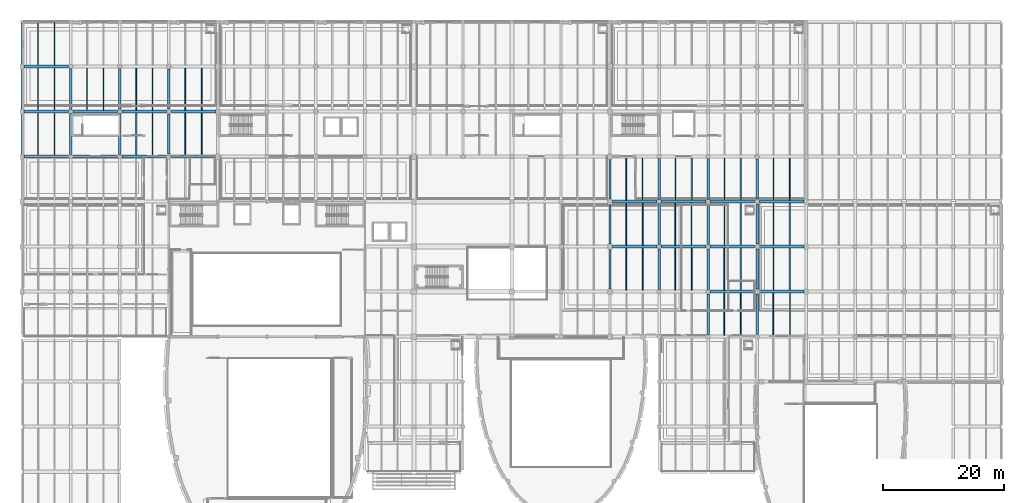
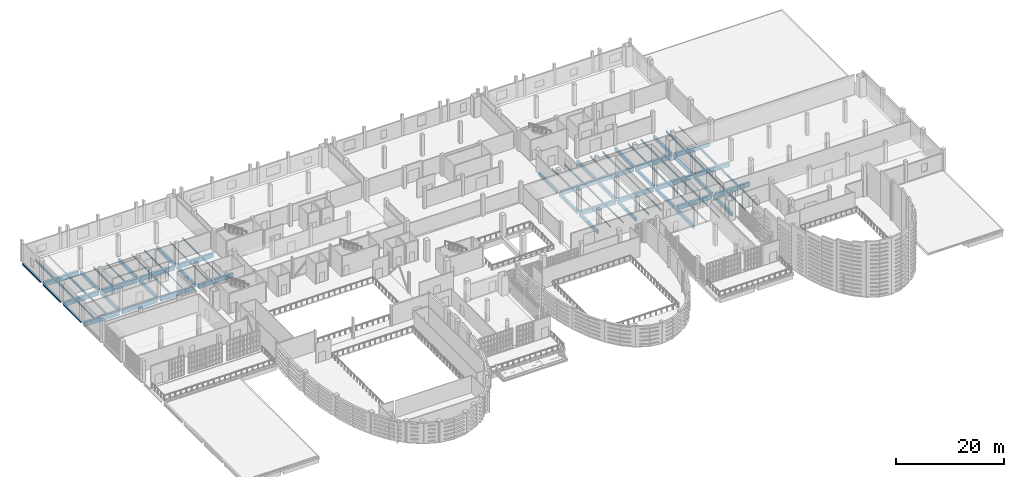
# One storey, part 45 of 104: 86 beams.
"""IFC4 building model written with IfcOpenShell, lengths in metres."""

import ifcopenshell
import ifcopenshell.guid

model = None  # the IFC model being written
_history = None  # IfcOwnerHistory: only IFC2X3 demands one
_inside = {}  # id of a spatial element -> (the spatial element, [elements in it])
_under = {}  # id of a project, library or spatial element -> (it, [spatial elements below it])
_declared = {}  # id of a project -> (the project, [libraries it declares])
_typed = {}  # id of a type object -> (the type object, [elements of that type])
_made_of = {}  # id of a material, layer set ... -> (it, [elements and type objects made of it])


def new_model(schema):
    """Start an empty IFC model of exactly this schema.

    Asked for "IFC4X3", IfcOpenShell would pick the latest addendum, in which some entities
    have other attributes; the version numbers below select the first issue.
    IFC2X3 requires an IfcOwnerHistory on every rooted entity: one is made here for all.
    """
    global model, _history
    if schema == "IFC4X3":
        model = ifcopenshell.file(schema_version=(4, 3, 0, 0))
    else:
        model = ifcopenshell.file(schema=schema)
    _inside.clear()
    _under.clear()
    _declared.clear()
    _typed.clear()
    _made_of.clear()
    _history = None
    if model.schema == "IFC2X3":
        org = make("IfcOrganization", Name="unknown")
        user = make(
            "IfcPersonAndOrganization",
            ThePerson=make("IfcPerson", FamilyName="unknown"),
            TheOrganization=org,
        )
        app = make(
            "IfcApplication",
            ApplicationDeveloper=org,
            Version="unknown",
            ApplicationFullName="unknown",
            ApplicationIdentifier="unknown",
        )
        _history = make(
            "IfcOwnerHistory",
            OwningUser=user,
            OwningApplication=app,
            ChangeAction="ADDED",
            CreationDate=0,
        )
    return model


def make(cls, **values):
    """One entity of the class cls with the attributes given. An attribute that is None is left unset."""
    return model.create_entity(
        cls, **{name: value for name, value in values.items() if value is not None}
    )


def rooted(cls, **values):
    """An entity with a GlobalId (a new one), such as an element, a storey or a relation."""
    return make(cls, GlobalId=ifcopenshell.guid.new(), OwnerHistory=_history, **values)


def si_unit(unit_type, name, prefix=None):
    """IfcSIUnit, for example si_unit("LENGTHUNIT", "METRE", prefix="MILLI")."""
    return make("IfcSIUnit", UnitType=unit_type, Prefix=prefix, Name=name)


def assignment(units):
    """IfcUnitAssignment: the units of a project."""
    return None if units is None else make("IfcUnitAssignment", Units=units)


def point(xyz):
    """IfcCartesianPoint."""
    return None if xyz is None else make("IfcCartesianPoint", Coordinates=xyz)


def direction(xyz):
    """IfcDirection."""
    return None if xyz is None else make("IfcDirection", DirectionRatios=xyz)


def frame(location, z_axis=None, x_axis=None):
    """IfcAxis2Placement3D, a coordinate frame: its origin and axes. An axis left out is left unset."""
    return make(
        "IfcAxis2Placement3D",
        Location=point(location),
        Axis=direction(z_axis),
        RefDirection=direction(x_axis),
    )


def frame_2d(location, x_axis=None):
    """IfcAxis2Placement2D, a coordinate frame in the plane: its origin and x axis."""
    return make(
        "IfcAxis2Placement2D", Location=point(location), RefDirection=direction(x_axis)
    )


def origin():
    """The frame at (0, 0, 0) with its axes left unset."""
    return frame((0.0, 0.0, 0.0))


def origin_2d():
    """The frame at (0, 0) in the plane with its x axis left unset."""
    return frame_2d((0.0, 0.0))


def place(relative_to, where):
    """IfcLocalPlacement: puts the frame where relative to a parent placement (None: the world)."""
    return make(
        "IfcLocalPlacement", PlacementRelTo=relative_to, RelativePlacement=where
    )


def context(
    kind, dimensions, precision=None, world=None, true_north=None, identifier=None
):
    """IfcGeometricRepresentationContext, for example the 3D "Model" context."""
    return make(
        "IfcGeometricRepresentationContext",
        ContextIdentifier=identifier,
        ContextType=kind,
        CoordinateSpaceDimension=dimensions,
        Precision=precision,
        WorldCoordinateSystem=world,
        TrueNorth=true_north,
    )


def subcontext(parent, identifier, kind, view, scale=None):
    """IfcGeometricRepresentationSubContext, for example "Body" below "Model"."""
    return make(
        "IfcGeometricRepresentationSubContext",
        ContextIdentifier=identifier,
        ContextType=kind,
        ParentContext=parent,
        TargetScale=scale,
        TargetView=view,
    )


def project(units=None, contexts=None):
    """IfcProject with its units and contexts."""
    return rooted(
        "IfcProject",
        Name="project",
        RepresentationContexts=contexts,
        UnitsInContext=assignment(units),
    )


def spatial(cls, under=None, at=None, **own):
    """A site, building, storey or space (cls), placed at a placement, below another one or the project."""
    s = rooted(cls, ObjectPlacement=at, **own)
    if under is not None:
        _under.setdefault(under.id(), (under, []))[1].append(s)
    return s


def profile(cls, at=None, kind="AREA", **sizes):
    """A parametric profile (cls). Its sizes go by their IFC names, for example OverallWidth=200.0."""
    return make(cls, ProfileType=kind, Position=at, **sizes)


def rectangle(**sizes):
    """IfcRectangleProfileDef."""
    return profile("IfcRectangleProfileDef", **sizes)


def i_section(**sizes):
    """IfcIShapeProfileDef."""
    return profile("IfcIShapeProfileDef", **sizes)


def extrude(swept, where, along, depth):
    """IfcExtrudedAreaSolid: the profile swept, set in the frame where, extruded along a direction by depth."""
    return make(
        "IfcExtrudedAreaSolid",
        SweptArea=swept,
        Position=where,
        ExtrudedDirection=direction(along),
        Depth=depth,
    )


def shape(context_of_items, identifier, shape_type, items):
    """IfcShapeRepresentation: the items that make up one representation, for example the "Body"."""
    return make(
        "IfcShapeRepresentation",
        ContextOfItems=context_of_items,
        RepresentationIdentifier=identifier,
        RepresentationType=shape_type,
        Items=items,
    )


def material(Name=None, Category=None):
    """IfcMaterial."""
    return make("IfcMaterial", Name=Name, Category=Category)


def material_profile(
    of_material, cross_section, Name=None, Category=None, Priority=None
):
    """IfcMaterialProfile: a cross section and its material."""
    return make(
        "IfcMaterialProfile",
        Name=Name,
        Material=of_material,
        Profile=cross_section,
        Priority=Priority,
        Category=Category,
    )


def profile_set(profiles, Name=None, composite=None):
    """IfcMaterialProfileSet."""
    return make(
        "IfcMaterialProfileSet",
        Name=Name,
        MaterialProfiles=profiles,
        CompositeProfile=composite,
    )


def made_of(thing, what):
    """Note that an element or type object is made of a material, layer set ...; save() writes the relation."""
    if what is not None:
        _made_of.setdefault(what.id(), (what, []))[1].append(thing)
    return thing


def type_object(cls, material=None, **own):
    """A type object (cls), such as IfcWallType, which elements share."""
    return made_of(rooted(cls, **own), material)


def element(
    cls,
    number,
    at=None,
    inside=None,
    cuts=None,
    type_object=None,
    material=None,
    context=None,
    identifier="Body",
    shape_type=None,
    held_by="IfcProductDefinitionShape",
    body=None,
    shapes=None,
    **own,
):
    """One element of the class cls, such as IfcWall. Its Tag is "e" and its number.

    at: its placement. inside: the storey or other place that contains it. cuts: it is an
    opening in that element (IfcRelVoidsElement). A single representation is given by context,
    identifier, shape_type and body (its items); several are given by shapes. held_by: the class
    of the entity that holds the representations. save() writes the other relations.
    """
    e = rooted(cls, Tag="e%d" % number, ObjectPlacement=at, **own)
    if body is not None:
        shapes = [shape(context, identifier, shape_type, body)]
    if shapes is not None:
        e.Representation = make(held_by, Representations=shapes)
    if inside is not None:
        _inside.setdefault(inside.id(), (inside, []))[1].append(e)
    if cuts is not None:
        rooted(
            "IfcRelVoidsElement", RelatingBuildingElement=cuts, RelatedOpeningElement=e
        )
    if type_object is not None:
        _typed.setdefault(type_object.id(), (type_object, []))[1].append(e)
    return made_of(e, material)


def aggregate(whole, parts):
    """IfcRelAggregates: a whole, such as a stair, and the parts it consists of."""
    return rooted("IfcRelAggregates", RelatingObject=whole, RelatedObjects=parts)


def save(model, path):
    """Write the relations noted so far, then the file.

    IfcRelAggregates (storeys below a building ...), IfcRelContainedInSpatialStructure (elements
    in a storey), IfcRelDefinesByType, IfcRelAssociatesMaterial and IfcRelDeclares: one each for
    every whole, place, type object, material and project.
    """
    for whole, parts in _under.values():
        aggregate(whole, parts)
    for where, things in _inside.values():
        rooted(
            "IfcRelContainedInSpatialStructure",
            RelatedElements=things,
            RelatingStructure=where,
        )
    for kind, things in _typed.values():
        rooted("IfcRelDefinesByType", RelatedObjects=things, RelatingType=kind)
    for what, things in _made_of.values():
        rooted("IfcRelAssociatesMaterial", RelatedObjects=things, RelatingMaterial=what)
    for by, libraries in _declared.values():
        rooted("IfcRelDeclares", RelatingContext=by, RelatedDefinitions=libraries)
    model.write(path)


model = new_model("IFC4")

# Units and contexts
model_context = context("Model", 3, precision=1e-05, world=origin(), true_north=direction((0.0, 1.0)))
body_context = subcontext(model_context, "Body", "Model", "MODEL_VIEW")
ifc_project = project(units=[si_unit("LENGTHUNIT", "METRE"), si_unit("AREAUNIT", "SQUARE_METRE"), si_unit("VOLUMEUNIT", "CUBIC_METRE"), si_unit("PLANEANGLEUNIT", "RADIAN"), si_unit("MASSUNIT", "GRAM", prefix="KILO")], contexts=[model_context])

# Site, building, storey
site_placement = place(None, origin())
site = spatial("IfcSite", under=ifc_project, at=site_placement, CompositionType="ELEMENT")
building_placement = place(site_placement, origin())
building = spatial("IfcBuilding", under=site, at=building_placement, Name="Kaelora Sail Theatre", CompositionType="ELEMENT")
storey_placement = place(building_placement, frame((0.0, 0.0, 5.39990234375)))
storey = spatial("IfcBuildingStorey", under=building, at=storey_placement, Name="L01", CompositionType="ELEMENT", Elevation=5.39990234375)

# Beams
ifc_material_1 = material(Name="Steel S355", Category="steel")
ifc_material_profile_1 = material_profile(ifc_material_1, i_section(OverallWidth=0.18994140625, OverallDepth=0.449951171875, WebThickness=0.009521484375, FlangeThickness=0.0146484375, FilletRadius=0.02099609375, at=origin_2d()), Name="IPE 450")
ifc_profile_set_1 = profile_set([ifc_material_profile_1], Name="Steel S355")
beam_type_1 = type_object("IfcBeamType", Name="STR-BM-BM-IPE450", PredefinedType="BEAM", material=ifc_profile_set_1)
beam_1_placement = place(storey_placement, frame((6.89990234375, 98.469970703125, -0.52001953125), z_axis=(0.0, 1.0, 0.0), x_axis=(-1.0, 0.0, 0.0)))
element("IfcBeam", 1, at=beam_1_placement, inside=storey, type_object=beam_type_1, Name="Secondary floor joist 1/N-2 (L01)", PredefinedType="BEAM", context=body_context, shape_type="SweptSolid", body=[
    extrude(i_section(OverallWidth=0.18994140625, OverallDepth=0.449951171875, WebThickness=0.009521484375, FlangeThickness=0.0146484375, FilletRadius=0.02099609375, at=origin_2d()), origin(), (0.0, 0.0, 1.0), 6.93994140625),
])
beam_2_placement = place(storey_placement, frame((4.199951171875, 105.909912109375, -0.52001953125), z_axis=(0.0, 1.0, 0.0), x_axis=(-1.0, 0.0, 0.0)))
element("IfcBeam", 2, at=beam_2_placement, inside=storey, type_object=beam_type_1, Name="Secondary floor joist 1/O-1 (L01)", PredefinedType="BEAM", context=body_context, shape_type="SweptSolid", body=[
    extrude(i_section(OverallWidth=0.18994140625, OverallDepth=0.449951171875, WebThickness=0.009521484375, FlangeThickness=0.0146484375, FilletRadius=0.02099609375, at=origin_2d()), origin(), (0.0, 0.0, 1.0), 6.965087890625),
])
for number, where, z_axis, x_axis, name in (
    (3, (12.300048828125, 98.469970703125, -0.52001953125), (0.0, 1.0, 0.0), (-1.0, 0.0, 0.0), "Secondary floor joist 2/N-1 (L01)"),
    (4, (20.39990234375, 91.030029296875, -0.52001953125), (0.0, 1.0, 0.0), (-1.0, 0.0, 0.0), "Secondary floor joist 3/M-1 (L01)"),
    (5, (120.300048828125, 83.590087890625, -0.52001953125), (0.0, 1.0, 0.0), (-1.0, 0.0, 0.0), "Secondary floor joist 15/L-2 (L01)"),
):
    element("IfcBeam", number, at=place(storey_placement, frame(where, z_axis=z_axis, x_axis=x_axis)), inside=storey, type_object=beam_type_1, Name=name, PredefinedType="BEAM", context=body_context, shape_type="SweptSolid", body=[
        extrude(i_section(OverallWidth=0.18994140625, OverallDepth=0.449951171875, WebThickness=0.009521484375, FlangeThickness=0.0146484375, FilletRadius=0.02099609375, at=origin_2d()), origin(), (0.0, 0.0, 1.0), 6.93994140625),
    ])
beam_3_placement = place(storey_placement, frame((128.39990234375, 76.14990234375, -0.52001953125), z_axis=(0.0, 1.0, 0.0), x_axis=(-1.0, 0.0, 0.0)))
element("IfcBeam", 6, at=beam_3_placement, inside=storey, type_object=beam_type_1, Name="Secondary floor joist 16/K-2 (L01)", PredefinedType="BEAM", context=body_context, shape_type="SweptSolid", body=[
    extrude(i_section(OverallWidth=0.18994140625, OverallDepth=0.449951171875, WebThickness=0.009521484375, FlangeThickness=0.0146484375, FilletRadius=0.02099609375, at=origin_2d()), origin(), (0.0, 0.0, 1.0), 6.940185546875),
])
beam_4_placement = place(storey_placement, frame((125.699951171875, 83.590087890625, -0.52001953125), z_axis=(0.0, 1.0, 0.0), x_axis=(-1.0, 0.0, 0.0)))
element("IfcBeam", 7, at=beam_4_placement, inside=storey, type_object=beam_type_1, Name="Secondary floor joist 16/L-1 (L01)", PredefinedType="BEAM", context=body_context, shape_type="SweptSolid", body=[
    extrude(i_section(OverallWidth=0.18994140625, OverallDepth=0.449951171875, WebThickness=0.009521484375, FlangeThickness=0.0146484375, FilletRadius=0.02099609375, at=origin_2d()), origin(), (0.0, 0.0, 1.0), 6.93994140625),
])
ifc_material_2 = material(Name="Concrete C40/50", Category="concrete")
ifc_material_profile_2 = material_profile(ifc_material_2, rectangle(XDim=0.39990234375, YDim=0.75, at=origin_2d()), Name="RC-BM 400x750")
ifc_profile_set_2 = profile_set([ifc_material_profile_2], Name="Concrete C40/50")
beam_type_2 = type_object("IfcBeamType", Name="STR-BM-BM-RC4075", PredefinedType="BEAM", material=ifc_profile_set_2)
beam_5_placement = place(storey_placement, frame((9.60009765625, 91.1298828125, -0.669921875), z_axis=(0.0, 1.0, 0.0), x_axis=(-1.0, 0.0, 0.0)))
element("IfcBeam", 8, at=beam_5_placement, inside=storey, type_object=beam_type_2, Name="Primary beam 2 M-N (L01)", PredefinedType="BEAM", context=body_context, shape_type="SweptSolid", body=[
    extrude(rectangle(XDim=0.39990234375, YDim=0.75, at=origin_2d()), origin(), (0.0, 0.0, 1.0), 6.740234375),
])
beam_6_placement = place(storey_placement, frame((9.60009765625, 98.570068359375, -0.669921875), z_axis=(0.0, 1.0, 0.0), x_axis=(-1.0, 0.0, 0.0)))
element("IfcBeam", 9, at=beam_6_placement, inside=storey, type_object=beam_type_2, Name="Primary beam 2 N-O (L01)", PredefinedType="BEAM", context=body_context, shape_type="SweptSolid", body=[
    extrude(rectangle(XDim=0.39990234375, YDim=0.75, at=origin_2d()), origin(), (0.0, 0.0, 1.0), 6.739990234375),
])
beam_7_placement = place(storey_placement, frame((17.699951171875, 91.1298828125, -0.669921875), z_axis=(0.0, 1.0, 0.0), x_axis=(-1.0, 0.0, 0.0)))
element("IfcBeam", 10, at=beam_7_placement, inside=storey, type_object=beam_type_2, Name="Primary beam 3 M-N (L01)", PredefinedType="BEAM", context=body_context, shape_type="SweptSolid", body=[
    extrude(rectangle(XDim=0.39990234375, YDim=0.75, at=origin_2d()), origin(), (0.0, 0.0, 1.0), 6.740234375),
])
beam_8_placement = place(storey_placement, frame((17.699951171875, 98.570068359375, -0.669921875), z_axis=(0.0, 1.0, 0.0), x_axis=(-1.0, 0.0, 0.0)))
element("IfcBeam", 11, at=beam_8_placement, inside=storey, type_object=beam_type_2, Name="Primary beam 3 N-O (L01)", PredefinedType="BEAM", context=body_context, shape_type="SweptSolid", body=[
    extrude(rectangle(XDim=0.39990234375, YDim=0.75, at=origin_2d()), origin(), (0.0, 0.0, 1.0), 6.739990234375),
])
beam_9_placement = place(storey_placement, frame((25.800048828125, 91.179931640625, -0.669921875), z_axis=(0.0, 1.0, 0.0), x_axis=(-1.0, 0.0, 0.0)))
element("IfcBeam", 12, at=beam_9_placement, inside=storey, type_object=beam_type_2, Name="Primary beam 4 M-N (L01)", PredefinedType="BEAM", context=body_context, shape_type="SweptSolid", body=[
    extrude(rectangle(XDim=0.39990234375, YDim=0.75, at=origin_2d()), origin(), (0.0, 0.0, 1.0), 6.64013671875),
])
for number, where, z_axis, x_axis, name in (
    (13, (25.800048828125, 98.6201171875, -0.669921875), (0.0, 1.0, 0.0), (-1.0, 0.0, 0.0), "Primary beam 4 N-O (L01)"),
    (14, (98.699951171875, 68.860107421875, -0.669921875), (0.0, 1.0, 0.0), (-1.0, 0.0, 0.0), "Primary beam 13 J-K (L01)"),
    (15, (98.699951171875, 76.300048828125, -0.669921875), (0.0, 1.0, 0.0), (-1.0, 0.0, 0.0), "Primary beam 13 K-L (L01)"),
    (16, (98.699951171875, 83.739990234375, -0.669921875), (0.0, 1.0, 0.0), (-1.0, 0.0, 0.0), "Primary beam 13 L-M (L01)"),
):
    element("IfcBeam", number, at=place(storey_placement, frame(where, z_axis=z_axis, x_axis=x_axis)), inside=storey, type_object=beam_type_2, Name=name, PredefinedType="BEAM", context=body_context, shape_type="SweptSolid", body=[
        extrude(rectangle(XDim=0.39990234375, YDim=0.75, at=origin_2d()), origin(), (0.0, 0.0, 1.0), 6.639892578125),
    ])
for number, where, z_axis, x_axis, name in (
    (17, (106.800048828125, 68.81005859375, -0.669921875), (0.0, 1.0, 0.0), (-1.0, 0.0, 0.0), "Primary beam 14 J-K (L01)"),
    (18, (106.800048828125, 76.25, -0.669921875), (0.0, 1.0, 0.0), (-1.0, 0.0, 0.0), "Primary beam 14 K-L (L01)"),
    (19, (106.800048828125, 83.68994140625, -0.669921875), (0.0, 1.0, 0.0), (-1.0, 0.0, 0.0), "Primary beam 14 L-M (L01)"),
    (20, (114.89990234375, 61.3701171875, -0.669921875), (0.0, 1.0, 0.0), (-1.0, 0.0, 0.0), "Primary beam 15 I-J (L01)"),
    (21, (114.89990234375, 68.81005859375, -0.669921875), (0.0, 1.0, 0.0), (-1.0, 0.0, 0.0), "Primary beam 15 J-K (L01)"),
    (22, (114.89990234375, 76.25, -0.669921875), (0.0, 1.0, 0.0), (-1.0, 0.0, 0.0), "Primary beam 15 K-L (L01)"),
    (23, (114.89990234375, 83.68994140625, -0.669921875), (0.0, 1.0, 0.0), (-1.0, 0.0, 0.0), "Primary beam 15 L-M (L01)"),
):
    element("IfcBeam", number, at=place(storey_placement, frame(where, z_axis=z_axis, x_axis=x_axis)), inside=storey, type_object=beam_type_2, Name=name, PredefinedType="BEAM", context=body_context, shape_type="SweptSolid", body=[
        extrude(rectangle(XDim=0.39990234375, YDim=0.75, at=origin_2d()), origin(), (0.0, 0.0, 1.0), 6.739990234375),
    ])
beam_10_placement = place(storey_placement, frame((123.0, 61.419921875, -0.669921875), z_axis=(0.0, 1.0, 0.0), x_axis=(-1.0, 0.0, 0.0)))
element("IfcBeam", 24, at=beam_10_placement, inside=storey, type_object=beam_type_2, Name="Primary beam 16 I-J (L01)", PredefinedType="BEAM", context=body_context, shape_type="SweptSolid", body=[
    extrude(rectangle(XDim=0.39990234375, YDim=0.75, at=origin_2d()), origin(), (0.0, 0.0, 1.0), 6.64013671875),
])
for number, where, z_axis, x_axis, name in (
    (25, (123.0, 68.860107421875, -0.669921875), (0.0, 1.0, 0.0), (-1.0, 0.0, 0.0), "Primary beam 16 J-K (L01)"),
    (26, (123.0, 76.300048828125, -0.669921875), (0.0, 1.0, 0.0), (-1.0, 0.0, 0.0), "Primary beam 16 K-L (L01)"),
    (27, (123.0, 83.739990234375, -0.669921875), (0.0, 1.0, 0.0), (-1.0, 0.0, 0.0), "Primary beam 16 L-M (L01)"),
):
    element("IfcBeam", number, at=place(storey_placement, frame(where, z_axis=z_axis, x_axis=x_axis)), inside=storey, type_object=beam_type_2, Name=name, PredefinedType="BEAM", context=body_context, shape_type="SweptSolid", body=[
        extrude(rectangle(XDim=0.39990234375, YDim=0.75, at=origin_2d()), origin(), (0.0, 0.0, 1.0), 6.639892578125),
    ])
ifc_material_3 = material(Name="Concrete C45/55", Category="concrete")
ifc_material_profile_3 = material_profile(ifc_material_3, rectangle(XDim=0.5, YDim=0.949951171875, at=origin_2d()), Name="RC-GRD 500x950")
ifc_profile_set_3 = profile_set([ifc_material_profile_3], Name="Concrete C45/55")
beam_type_3 = type_object("IfcBeamType", Name="STR-BM-GR-RC5095", PredefinedType="T_BEAM", material=ifc_profile_set_3)
for number, where, z_axis, x_axis, name in (
    (28, (1.89990234375, 90.780029296875, -0.77001953125), (1.0, 0.0, 0.0), (0.0, 1.0, 0.0), "Primary beam M 1-2 (L01)"),
    (29, (1.89990234375, 98.219970703125, -0.77001953125), (1.0, 0.0, 0.0), (0.0, 1.0, 0.0), "Primary beam N 1-2 (L01)"),
    (30, (1.89990234375, 105.659912109375, -0.77001953125), (1.0, 0.0, 0.0), (0.0, 1.0, 0.0), "Primary beam O 1-2 (L01)"),
):
    element("IfcBeam", number, at=place(storey_placement, frame(where, z_axis=z_axis, x_axis=x_axis)), inside=storey, type_object=beam_type_3, Name=name, PredefinedType="T_BEAM", context=body_context, shape_type="SweptSolid", body=[
        extrude(rectangle(XDim=0.5, YDim=0.949951171875, at=origin_2d()), origin(), (0.0, 0.0, 1.0), 7.35009765625),
    ])
for number, where, z_axis, x_axis, name in (
    (31, (9.949951171875, 90.780029296875, -0.77001953125), (1.0, 0.0, 0.0), (0.0, 1.0, 0.0), "Primary beam M 2-3 (L01)"),
    (32, (9.949951171875, 98.219970703125, -0.77001953125), (1.0, 0.0, 0.0), (0.0, 1.0, 0.0), "Primary beam N 2-3 (L01)"),
):
    element("IfcBeam", number, at=place(storey_placement, frame(where, z_axis=z_axis, x_axis=x_axis)), inside=storey, type_object=beam_type_3, Name=name, PredefinedType="T_BEAM", context=body_context, shape_type="SweptSolid", body=[
        extrude(rectangle(XDim=0.5, YDim=0.949951171875, at=origin_2d()), origin(), (0.0, 0.0, 1.0), 7.400146484375),
    ])
for number, where, z_axis, x_axis, name in (
    (33, (18.050048828125, 90.780029296875, -0.77001953125), (1.0, 0.0, 0.0), (0.0, 1.0, 0.0), "Primary beam M 3-4 (L01)"),
    (34, (18.050048828125, 98.219970703125, -0.77001953125), (1.0, 0.0, 0.0), (0.0, 1.0, 0.0), "Primary beam N 3-4 (L01)"),
):
    element("IfcBeam", number, at=place(storey_placement, frame(where, z_axis=z_axis, x_axis=x_axis)), inside=storey, type_object=beam_type_3, Name=name, PredefinedType="T_BEAM", context=body_context, shape_type="SweptSolid", body=[
        extrude(rectangle(XDim=0.5, YDim=0.949951171875, at=origin_2d()), origin(), (0.0, 0.0, 1.0), 7.349853515625),
    ])
for number, where, z_axis, x_axis, name in (
    (35, (26.199951171875, 90.780029296875, -0.77001953125), (1.0, 0.0, 0.0), (0.0, 1.0, 0.0), "Primary beam M 4-5 (L01)"),
    (36, (26.199951171875, 98.219970703125, -0.77001953125), (1.0, 0.0, 0.0), (0.0, 1.0, 0.0), "Primary beam N 4-5 (L01)"),
):
    element("IfcBeam", number, at=place(storey_placement, frame(where, z_axis=z_axis, x_axis=x_axis)), inside=storey, type_object=beam_type_3, Name=name, PredefinedType="T_BEAM", context=body_context, shape_type="SweptSolid", body=[
        extrude(rectangle(XDim=0.5, YDim=0.949951171875, at=origin_2d()), origin(), (0.0, 0.0, 1.0), 7.35009765625),
    ])
for number, where, z_axis, x_axis, name in (
    (37, (99.10009765625, 75.89990234375, -0.77001953125), (1.0, 0.0, 0.0), (0.0, 1.0, 0.0), "Primary beam K 13-14 (L01)"),
    (38, (99.10009765625, 83.340087890625, -0.77001953125), (1.0, 0.0, 0.0), (0.0, 1.0, 0.0), "Primary beam L 13-14 (L01)"),
):
    element("IfcBeam", number, at=place(storey_placement, frame(where, z_axis=z_axis, x_axis=x_axis)), inside=storey, type_object=beam_type_3, Name=name, PredefinedType="T_BEAM", context=body_context, shape_type="SweptSolid", body=[
        extrude(rectangle(XDim=0.5, YDim=0.949951171875, at=origin_2d()), origin(), (0.0, 0.0, 1.0), 7.349853515625),
    ])
for number, where, z_axis, x_axis, name in (
    (39, (107.14990234375, 75.89990234375, -0.77001953125), (1.0, 0.0, 0.0), (0.0, 1.0, 0.0), "Primary beam K 14-15 (L01)"),
    (40, (107.14990234375, 83.340087890625, -0.77001953125), (1.0, 0.0, 0.0), (0.0, 1.0, 0.0), "Primary beam L 14-15 (L01)"),
):
    element("IfcBeam", number, at=place(storey_placement, frame(where, z_axis=z_axis, x_axis=x_axis)), inside=storey, type_object=beam_type_3, Name=name, PredefinedType="T_BEAM", context=body_context, shape_type="SweptSolid", body=[
        extrude(rectangle(XDim=0.5, YDim=0.949951171875, at=origin_2d()), origin(), (0.0, 0.0, 1.0), 7.400146484375),
    ])
for number, where, z_axis, x_axis, name in (
    (41, (115.25, 68.4599609375, -0.77001953125), (1.0, 0.0, 0.0), (0.0, 1.0, 0.0), "Primary beam J 15-16 (L01)"),
    (42, (115.25, 75.89990234375, -0.77001953125), (1.0, 0.0, 0.0), (0.0, 1.0, 0.0), "Primary beam K 15-16 (L01)"),
    (43, (115.25, 83.340087890625, -0.77001953125), (1.0, 0.0, 0.0), (0.0, 1.0, 0.0), "Primary beam L 15-16 (L01)"),
    (44, (123.39990234375, 68.4599609375, -0.77001953125), (1.0, 0.0, 0.0), (0.0, 1.0, 0.0), "Primary beam J 16-17 (L01)"),
    (45, (123.39990234375, 75.89990234375, -0.77001953125), (1.0, 0.0, 0.0), (0.0, 1.0, 0.0), "Primary beam K 16-17 (L01)"),
    (46, (123.39990234375, 83.340087890625, -0.77001953125), (1.0, 0.0, 0.0), (0.0, 1.0, 0.0), "Primary beam L 16-17 (L01)"),
):
    element("IfcBeam", number, at=place(storey_placement, frame(where, z_axis=z_axis, x_axis=x_axis)), inside=storey, type_object=beam_type_3, Name=name, PredefinedType="T_BEAM", context=body_context, shape_type="SweptSolid", body=[
        extrude(rectangle(XDim=0.5, YDim=0.949951171875, at=origin_2d()), origin(), (0.0, 0.0, 1.0), 7.35009765625),
    ])
ifc_material_4 = material(Name="Steel S355", Category="steel")
ifc_material_profile_4 = material_profile(ifc_material_4, i_section(OverallWidth=0.135009765625, OverallDepth=0.27001953125, WebThickness=0.006591796875, FlangeThickness=0.01025390625, FilletRadius=0.014892578125, at=origin_2d()), Name="IPE 270")
ifc_profile_set_4 = profile_set([ifc_material_profile_4], Name="Steel S355")
beam_type_4 = type_object("IfcBeamType", Name="STR-BM-JS-IPE270", PredefinedType="JOIST", material=ifc_profile_set_4)
beam_11_placement = place(storey_placement, frame((6.89990234375, 105.909912109375, -0.429931640625), z_axis=(0.0, 1.0, 0.0), x_axis=(-1.0, 0.0, 0.0)))
element("IfcBeam", 47, at=beam_11_placement, inside=storey, type_object=beam_type_4, Name="Secondary floor joist 1/O-2 (L01)", PredefinedType="JOIST", context=body_context, shape_type="SweptSolid", body=[
    extrude(i_section(OverallWidth=0.135009765625, OverallDepth=0.27001953125, WebThickness=0.006591796875, FlangeThickness=0.01025390625, FilletRadius=0.014892578125, at=origin_2d()), origin(), (0.0, 0.0, 1.0), 6.965087890625),
])
for number, where, z_axis, x_axis, name in (
    (48, (15.0, 98.469970703125, -0.429931640625), (0.0, 1.0, 0.0), (-1.0, 0.0, 0.0), "Secondary floor joist 2/N-2 (L01)"),
    (49, (23.10009765625, 91.030029296875, -0.429931640625), (0.0, 1.0, 0.0), (-1.0, 0.0, 0.0), "Secondary floor joist 3/M-2 (L01)"),
    (50, (20.39990234375, 98.469970703125, -0.429931640625), (0.0, 1.0, 0.0), (-1.0, 0.0, 0.0), "Secondary floor joist 3/N-1 (L01)"),
    (51, (28.5, 91.030029296875, -0.429931640625), (0.0, 1.0, 0.0), (-1.0, 0.0, 0.0), "Secondary floor joist 4/M-1 (L01)"),
    (52, (101.39990234375, 68.7099609375, -0.429931640625), (0.0, 1.0, 0.0), (-1.0, 0.0, 0.0), "Secondary floor joist 13/J-1 (L01)"),
    (53, (128.39990234375, 83.590087890625, -0.429931640625), (0.0, 1.0, 0.0), (-1.0, 0.0, 0.0), "Secondary floor joist 16/L-2 (L01)"),
):
    element("IfcBeam", number, at=place(storey_placement, frame(where, z_axis=z_axis, x_axis=x_axis)), inside=storey, type_object=beam_type_4, Name=name, PredefinedType="JOIST", context=body_context, shape_type="SweptSolid", body=[
        extrude(i_section(OverallWidth=0.135009765625, OverallDepth=0.27001953125, WebThickness=0.006591796875, FlangeThickness=0.01025390625, FilletRadius=0.014892578125, at=origin_2d()), origin(), (0.0, 0.0, 1.0), 6.93994140625),
    ])
ifc_material_5 = material(Name="Steel S355", Category="steel")
ifc_material_profile_5 = material_profile(ifc_material_5, i_section(OverallWidth=0.14990234375, OverallDepth=0.300048828125, WebThickness=0.007080078125, FlangeThickness=0.0107421875, FilletRadius=0.014892578125, at=origin_2d()), Name="IPE 300")
ifc_profile_set_5 = profile_set([ifc_material_profile_5], Name="Steel S355")
beam_type_5 = type_object("IfcBeamType", Name="STR-BM-JS-IPE300", PredefinedType="JOIST", material=ifc_profile_set_5)
for number, where, z_axis, x_axis, name in (
    (54, (23.10009765625, 98.469970703125, -0.44482421875), (0.0, 1.0, 0.0), (-1.0, 0.0, 0.0), "Secondary floor joist 3/N-2 (L01)"),
    (55, (31.199951171875, 91.030029296875, -0.44482421875), (0.0, 1.0, 0.0), (-1.0, 0.0, 0.0), "Secondary floor joist 4/M-2 (L01)"),
    (56, (28.5, 98.469970703125, -0.44482421875), (0.0, 1.0, 0.0), (-1.0, 0.0, 0.0), "Secondary floor joist 4/N-1 (L01)"),
    (57, (104.10009765625, 68.7099609375, -0.44482421875), (0.0, 1.0, 0.0), (-1.0, 0.0, 0.0), "Secondary floor joist 13/J-2 (L01)"),
):
    element("IfcBeam", number, at=place(storey_placement, frame(where, z_axis=z_axis, x_axis=x_axis)), inside=storey, type_object=beam_type_5, Name=name, PredefinedType="JOIST", context=body_context, shape_type="SweptSolid", body=[
        extrude(i_section(OverallWidth=0.14990234375, OverallDepth=0.300048828125, WebThickness=0.007080078125, FlangeThickness=0.0107421875, FilletRadius=0.014892578125, at=origin_2d()), origin(), (0.0, 0.0, 1.0), 6.93994140625),
    ])
beam_12_placement = place(storey_placement, frame((101.39990234375, 76.14990234375, -0.44482421875), z_axis=(0.0, 1.0, 0.0), x_axis=(-1.0, 0.0, 0.0)))
element("IfcBeam", 58, at=beam_12_placement, inside=storey, type_object=beam_type_5, Name="Secondary floor joist 13/K-1 (L01)", PredefinedType="JOIST", context=body_context, shape_type="SweptSolid", body=[
    extrude(i_section(OverallWidth=0.14990234375, OverallDepth=0.300048828125, WebThickness=0.007080078125, FlangeThickness=0.0107421875, FilletRadius=0.014892578125, at=origin_2d()), origin(), (0.0, 0.0, 1.0), 6.940185546875),
])
for number, where, z_axis, x_axis, name in (
    (59, (109.5, 68.7099609375, -0.44482421875), (0.0, 1.0, 0.0), (-1.0, 0.0, 0.0), "Secondary floor joist 14/J-1 (L01)"),
    (60, (117.60009765625, 61.27001953125, -0.44482421875), (0.0, 1.0, 0.0), (-1.0, 0.0, 0.0), "Secondary floor joist 15/I-1 (L01)"),
):
    element("IfcBeam", number, at=place(storey_placement, frame(where, z_axis=z_axis, x_axis=x_axis)), inside=storey, type_object=beam_type_5, Name=name, PredefinedType="JOIST", context=body_context, shape_type="SweptSolid", body=[
        extrude(i_section(OverallWidth=0.14990234375, OverallDepth=0.300048828125, WebThickness=0.007080078125, FlangeThickness=0.0107421875, FilletRadius=0.014892578125, at=origin_2d()), origin(), (0.0, 0.0, 1.0), 6.93994140625),
    ])
ifc_material_6 = material(Name="Steel S355", Category="steel")
ifc_material_profile_6 = material_profile(ifc_material_6, i_section(OverallWidth=0.159912109375, OverallDepth=0.330078125, WebThickness=0.007568359375, FlangeThickness=0.011474609375, FilletRadius=0.01806640625, at=origin_2d()), Name="IPE 330")
ifc_profile_set_6 = profile_set([ifc_material_profile_6], Name="Steel S355")
beam_type_6 = type_object("IfcBeamType", Name="STR-BM-JS-IPE330", PredefinedType="JOIST", material=ifc_profile_set_6)
beam_13_placement = place(storey_placement, frame((31.199951171875, 98.469970703125, -0.4599609375), z_axis=(0.0, 1.0, 0.0), x_axis=(-1.0, 0.0, 0.0)))
element("IfcBeam", 61, at=beam_13_placement, inside=storey, type_object=beam_type_6, Name="Secondary floor joist 4/N-2 (L01)", PredefinedType="JOIST", context=body_context, shape_type="SweptSolid", body=[
    extrude(i_section(OverallWidth=0.159912109375, OverallDepth=0.330078125, WebThickness=0.007568359375, FlangeThickness=0.011474609375, FilletRadius=0.01806640625, at=origin_2d()), origin(), (0.0, 0.0, 1.0), 6.93994140625),
])
beam_14_placement = place(storey_placement, frame((104.10009765625, 76.14990234375, -0.4599609375), z_axis=(0.0, 1.0, 0.0), x_axis=(-1.0, 0.0, 0.0)))
element("IfcBeam", 62, at=beam_14_placement, inside=storey, type_object=beam_type_6, Name="Secondary floor joist 13/K-2 (L01)", PredefinedType="JOIST", context=body_context, shape_type="SweptSolid", body=[
    extrude(i_section(OverallWidth=0.159912109375, OverallDepth=0.330078125, WebThickness=0.007568359375, FlangeThickness=0.011474609375, FilletRadius=0.01806640625, at=origin_2d()), origin(), (0.0, 0.0, 1.0), 6.940185546875),
])
for number, where, z_axis, x_axis, name in (
    (63, (101.39990234375, 83.590087890625, -0.4599609375), (0.0, 1.0, 0.0), (-1.0, 0.0, 0.0), "Secondary floor joist 13/L-1 (L01)"),
    (64, (112.199951171875, 68.7099609375, -0.4599609375), (0.0, 1.0, 0.0), (-1.0, 0.0, 0.0), "Secondary floor joist 14/J-2 (L01)"),
):
    element("IfcBeam", number, at=place(storey_placement, frame(where, z_axis=z_axis, x_axis=x_axis)), inside=storey, type_object=beam_type_6, Name=name, PredefinedType="JOIST", context=body_context, shape_type="SweptSolid", body=[
        extrude(i_section(OverallWidth=0.159912109375, OverallDepth=0.330078125, WebThickness=0.007568359375, FlangeThickness=0.011474609375, FilletRadius=0.01806640625, at=origin_2d()), origin(), (0.0, 0.0, 1.0), 6.93994140625),
    ])
beam_15_placement = place(storey_placement, frame((109.5, 76.14990234375, -0.4599609375), z_axis=(0.0, 1.0, 0.0), x_axis=(-1.0, 0.0, 0.0)))
element("IfcBeam", 65, at=beam_15_placement, inside=storey, type_object=beam_type_6, Name="Secondary floor joist 14/K-1 (L01)", PredefinedType="JOIST", context=body_context, shape_type="SweptSolid", body=[
    extrude(i_section(OverallWidth=0.159912109375, OverallDepth=0.330078125, WebThickness=0.007568359375, FlangeThickness=0.011474609375, FilletRadius=0.01806640625, at=origin_2d()), origin(), (0.0, 0.0, 1.0), 6.940185546875),
])
for number, where, z_axis, x_axis, name in (
    (66, (120.300048828125, 61.27001953125, -0.4599609375), (0.0, 1.0, 0.0), (-1.0, 0.0, 0.0), "Secondary floor joist 15/I-2 (L01)"),
    (67, (117.60009765625, 68.7099609375, -0.4599609375), (0.0, 1.0, 0.0), (-1.0, 0.0, 0.0), "Secondary floor joist 15/J-1 (L01)"),
    (68, (125.699951171875, 61.27001953125, -0.4599609375), (0.0, 1.0, 0.0), (-1.0, 0.0, 0.0), "Secondary floor joist 16/I-1 (L01)"),
):
    element("IfcBeam", number, at=place(storey_placement, frame(where, z_axis=z_axis, x_axis=x_axis)), inside=storey, type_object=beam_type_6, Name=name, PredefinedType="JOIST", context=body_context, shape_type="SweptSolid", body=[
        extrude(i_section(OverallWidth=0.159912109375, OverallDepth=0.330078125, WebThickness=0.007568359375, FlangeThickness=0.011474609375, FilletRadius=0.01806640625, at=origin_2d()), origin(), (0.0, 0.0, 1.0), 6.93994140625),
    ])
ifc_material_7 = material(Name="Steel S355", Category="steel")
ifc_material_profile_7 = material_profile(ifc_material_7, i_section(OverallWidth=0.169921875, OverallDepth=0.360107421875, WebThickness=0.008056640625, FlangeThickness=0.0126953125, FilletRadius=0.01806640625, at=origin_2d()), Name="IPE 360")
ifc_profile_set_7 = profile_set([ifc_material_profile_7], Name="Steel S355")
beam_type_7 = type_object("IfcBeamType", Name="STR-BM-JS-IPE360", PredefinedType="JOIST", material=ifc_profile_set_7)
for number, where, z_axis, x_axis, name in (
    (69, (4.199951171875, 91.030029296875, -0.474853515625), (0.0, 1.0, 0.0), (-1.0, 0.0, 0.0), "Secondary floor joist 1/M-1 (L01)"),
    (70, (104.10009765625, 83.590087890625, -0.474853515625), (0.0, 1.0, 0.0), (-1.0, 0.0, 0.0), "Secondary floor joist 13/L-2 (L01)"),
):
    element("IfcBeam", number, at=place(storey_placement, frame(where, z_axis=z_axis, x_axis=x_axis)), inside=storey, type_object=beam_type_7, Name=name, PredefinedType="JOIST", context=body_context, shape_type="SweptSolid", body=[
        extrude(i_section(OverallWidth=0.169921875, OverallDepth=0.360107421875, WebThickness=0.008056640625, FlangeThickness=0.0126953125, FilletRadius=0.01806640625, at=origin_2d()), origin(), (0.0, 0.0, 1.0), 6.93994140625),
    ])
beam_16_placement = place(storey_placement, frame((112.199951171875, 76.14990234375, -0.474853515625), z_axis=(0.0, 1.0, 0.0), x_axis=(-1.0, 0.0, 0.0)))
element("IfcBeam", 71, at=beam_16_placement, inside=storey, type_object=beam_type_7, Name="Secondary floor joist 14/K-2 (L01)", PredefinedType="JOIST", context=body_context, shape_type="SweptSolid", body=[
    extrude(i_section(OverallWidth=0.169921875, OverallDepth=0.360107421875, WebThickness=0.008056640625, FlangeThickness=0.0126953125, FilletRadius=0.01806640625, at=origin_2d()), origin(), (0.0, 0.0, 1.0), 6.940185546875),
])
for number, where, z_axis, x_axis, name in (
    (72, (109.5, 83.590087890625, -0.474853515625), (0.0, 1.0, 0.0), (-1.0, 0.0, 0.0), "Secondary floor joist 14/L-1 (L01)"),
    (73, (120.300048828125, 68.7099609375, -0.474853515625), (0.0, 1.0, 0.0), (-1.0, 0.0, 0.0), "Secondary floor joist 15/J-2 (L01)"),
):
    element("IfcBeam", number, at=place(storey_placement, frame(where, z_axis=z_axis, x_axis=x_axis)), inside=storey, type_object=beam_type_7, Name=name, PredefinedType="JOIST", context=body_context, shape_type="SweptSolid", body=[
        extrude(i_section(OverallWidth=0.169921875, OverallDepth=0.360107421875, WebThickness=0.008056640625, FlangeThickness=0.0126953125, FilletRadius=0.01806640625, at=origin_2d()), origin(), (0.0, 0.0, 1.0), 6.93994140625),
    ])
beam_17_placement = place(storey_placement, frame((117.60009765625, 76.14990234375, -0.474853515625), z_axis=(0.0, 1.0, 0.0), x_axis=(-1.0, 0.0, 0.0)))
element("IfcBeam", 74, at=beam_17_placement, inside=storey, type_object=beam_type_7, Name="Secondary floor joist 15/K-1 (L01)", PredefinedType="JOIST", context=body_context, shape_type="SweptSolid", body=[
    extrude(i_section(OverallWidth=0.169921875, OverallDepth=0.360107421875, WebThickness=0.008056640625, FlangeThickness=0.0126953125, FilletRadius=0.01806640625, at=origin_2d()), origin(), (0.0, 0.0, 1.0), 6.940185546875),
])
for number, where, z_axis, x_axis, name in (
    (75, (128.39990234375, 61.27001953125, -0.474853515625), (0.0, 1.0, 0.0), (-1.0, 0.0, 0.0), "Secondary floor joist 16/I-2 (L01)"),
    (76, (125.699951171875, 68.7099609375, -0.474853515625), (0.0, 1.0, 0.0), (-1.0, 0.0, 0.0), "Secondary floor joist 16/J-1 (L01)"),
):
    element("IfcBeam", number, at=place(storey_placement, frame(where, z_axis=z_axis, x_axis=x_axis)), inside=storey, type_object=beam_type_7, Name=name, PredefinedType="JOIST", context=body_context, shape_type="SweptSolid", body=[
        extrude(i_section(OverallWidth=0.169921875, OverallDepth=0.360107421875, WebThickness=0.008056640625, FlangeThickness=0.0126953125, FilletRadius=0.01806640625, at=origin_2d()), origin(), (0.0, 0.0, 1.0), 6.93994140625),
    ])
ifc_material_8 = material(Name="Steel S355", Category="steel")
ifc_material_profile_8 = material_profile(ifc_material_8, i_section(OverallWidth=0.179931640625, OverallDepth=0.39990234375, WebThickness=0.008544921875, FlangeThickness=0.013427734375, FilletRadius=0.02099609375, at=origin_2d()), Name="IPE 400")
ifc_profile_set_8 = profile_set([ifc_material_profile_8], Name="Steel S355")
beam_type_8 = type_object("IfcBeamType", Name="STR-BM-JS-IPE400", PredefinedType="JOIST", material=ifc_profile_set_8)
for number, where, z_axis, x_axis, name in (
    (77, (6.89990234375, 91.030029296875, -0.494873046875), (0.0, 1.0, 0.0), (-1.0, 0.0, 0.0), "Secondary floor joist 1/M-2 (L01)"),
    (78, (4.199951171875, 98.469970703125, -0.494873046875), (0.0, 1.0, 0.0), (-1.0, 0.0, 0.0), "Secondary floor joist 1/N-1 (L01)"),
    (79, (112.199951171875, 83.590087890625, -0.494873046875), (0.0, 1.0, 0.0), (-1.0, 0.0, 0.0), "Secondary floor joist 14/L-2 (L01)"),
):
    element("IfcBeam", number, at=place(storey_placement, frame(where, z_axis=z_axis, x_axis=x_axis)), inside=storey, type_object=beam_type_8, Name=name, PredefinedType="JOIST", context=body_context, shape_type="SweptSolid", body=[
        extrude(i_section(OverallWidth=0.179931640625, OverallDepth=0.39990234375, WebThickness=0.008544921875, FlangeThickness=0.013427734375, FilletRadius=0.02099609375, at=origin_2d()), origin(), (0.0, 0.0, 1.0), 6.93994140625),
    ])
beam_18_placement = place(storey_placement, frame((120.300048828125, 76.14990234375, -0.494873046875), z_axis=(0.0, 1.0, 0.0), x_axis=(-1.0, 0.0, 0.0)))
element("IfcBeam", 80, at=beam_18_placement, inside=storey, type_object=beam_type_8, Name="Secondary floor joist 15/K-2 (L01)", PredefinedType="JOIST", context=body_context, shape_type="SweptSolid", body=[
    extrude(i_section(OverallWidth=0.179931640625, OverallDepth=0.39990234375, WebThickness=0.008544921875, FlangeThickness=0.013427734375, FilletRadius=0.02099609375, at=origin_2d()), origin(), (0.0, 0.0, 1.0), 6.940185546875),
])
for number, where, z_axis, x_axis, name in (
    (81, (117.60009765625, 83.590087890625, -0.494873046875), (0.0, 1.0, 0.0), (-1.0, 0.0, 0.0), "Secondary floor joist 15/L-1 (L01)"),
    (82, (128.39990234375, 68.7099609375, -0.494873046875), (0.0, 1.0, 0.0), (-1.0, 0.0, 0.0), "Secondary floor joist 16/J-2 (L01)"),
):
    element("IfcBeam", number, at=place(storey_placement, frame(where, z_axis=z_axis, x_axis=x_axis)), inside=storey, type_object=beam_type_8, Name=name, PredefinedType="JOIST", context=body_context, shape_type="SweptSolid", body=[
        extrude(i_section(OverallWidth=0.179931640625, OverallDepth=0.39990234375, WebThickness=0.008544921875, FlangeThickness=0.013427734375, FilletRadius=0.02099609375, at=origin_2d()), origin(), (0.0, 0.0, 1.0), 6.93994140625),
    ])
beam_19_placement = place(storey_placement, frame((125.699951171875, 76.14990234375, -0.494873046875), z_axis=(0.0, 1.0, 0.0), x_axis=(-1.0, 0.0, 0.0)))
element("IfcBeam", 83, at=beam_19_placement, inside=storey, type_object=beam_type_8, Name="Secondary floor joist 16/K-1 (L01)", PredefinedType="JOIST", context=body_context, shape_type="SweptSolid", body=[
    extrude(i_section(OverallWidth=0.179931640625, OverallDepth=0.39990234375, WebThickness=0.008544921875, FlangeThickness=0.013427734375, FilletRadius=0.02099609375, at=origin_2d()), origin(), (0.0, 0.0, 1.0), 6.940185546875),
])
ifc_material_9 = material(Name="Steel S355", Category="steel")
ifc_material_profile_9 = material_profile(ifc_material_9, i_section(OverallWidth=0.300048828125, OverallDepth=0.300048828125, WebThickness=0.010986328125, FlangeThickness=0.01904296875, FilletRadius=0.027099609375, at=origin_2d()), Name="HEB 300")
ifc_profile_set_9 = profile_set([ifc_material_profile_9], Name="Steel S355")
beam_type_9 = type_object("IfcBeamType", Name="STR-BM-SP-HEB300", PredefinedType="SPANDREL", material=ifc_profile_set_9)
beam_20_placement = place(storey_placement, frame((1.5, 91.179931640625, -0.44482421875), z_axis=(0.0, 1.0, 0.0), x_axis=(-1.0, 0.0, 0.0)))
element("IfcBeam", 84, at=beam_20_placement, inside=storey, type_object=beam_type_9, Name="Primary beam 1 M-N (L01)", PredefinedType="SPANDREL", context=body_context, shape_type="SweptSolid", body=[
    extrude(i_section(OverallWidth=0.300048828125, OverallDepth=0.300048828125, WebThickness=0.010986328125, FlangeThickness=0.01904296875, FilletRadius=0.027099609375, at=origin_2d()), origin(), (0.0, 0.0, 1.0), 6.64013671875),
])
beam_21_placement = place(storey_placement, frame((1.5, 98.6201171875, -0.44482421875), z_axis=(0.0, 1.0, 0.0), x_axis=(-1.0, 0.0, 0.0)))
element("IfcBeam", 85, at=beam_21_placement, inside=storey, type_object=beam_type_9, Name="Primary beam 1 N-O (L01)", PredefinedType="SPANDREL", context=body_context, shape_type="SweptSolid", body=[
    extrude(i_section(OverallWidth=0.300048828125, OverallDepth=0.300048828125, WebThickness=0.010986328125, FlangeThickness=0.01904296875, FilletRadius=0.027099609375, at=origin_2d()), origin(), (0.0, 0.0, 1.0), 6.639892578125),
])
beam_22_placement = place(storey_placement, frame((1.5, 106.06005859375, -0.44482421875), z_axis=(0.0, 1.0, 0.0), x_axis=(-1.0, 0.0, 0.0)))
element("IfcBeam", 86, at=beam_22_placement, inside=storey, type_object=beam_type_9, Name="Primary beam 1 O-P (L01)", PredefinedType="SPANDREL", context=body_context, shape_type="SweptSolid", body=[
    extrude(i_section(OverallWidth=0.300048828125, OverallDepth=0.300048828125, WebThickness=0.010986328125, FlangeThickness=0.01904296875, FilletRadius=0.027099609375, at=origin_2d()), origin(), (0.0, 0.0, 1.0), 6.7900390625),
])

save(model, "model.ifc")
